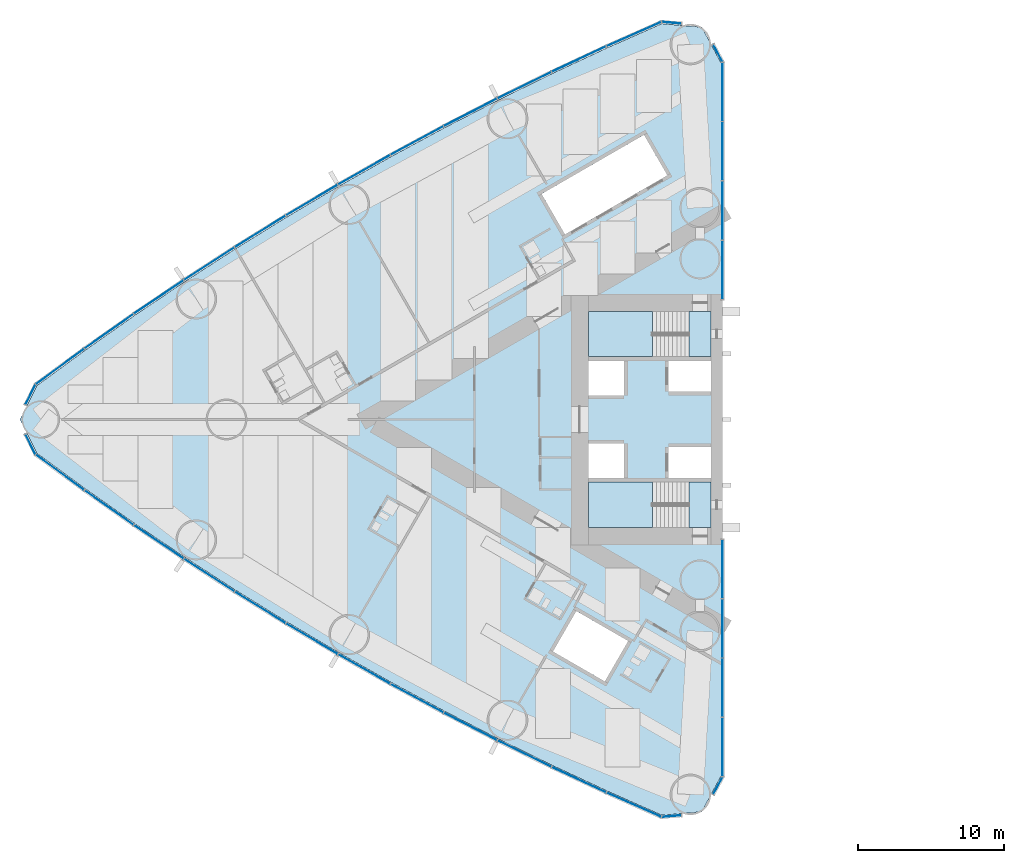
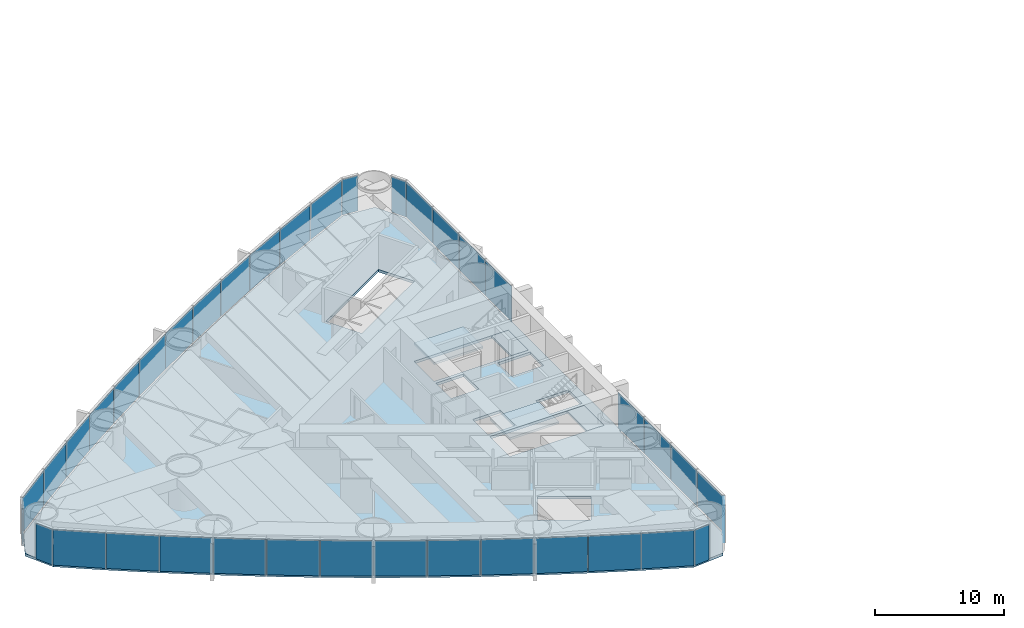
# One storey, part 9 of 19: 38 plates, 5 slabs, 6 elements without a shape of their own.
"""IFC4 building model written with IfcOpenShell, lengths in metres."""

from ifc_helpers import new_model, si_unit, direction, frame, origin, origin_2d, place, context, subcontext, project, spatial, polyline, rectangle, outline, extrude, material, layer, layer_set, type_object, element, aggregate, save


model = new_model("IFC4")

# Units and contexts
model_context = context("Model", 3, precision=1e-05, world=origin(), true_north=direction((0.0, 1.0)))
body_context = subcontext(model_context, "Body", "Model", "MODEL_VIEW")
ifc_project = project(units=[si_unit("LENGTHUNIT", "METRE"), si_unit("AREAUNIT", "SQUARE_METRE"), si_unit("VOLUMEUNIT", "CUBIC_METRE"), si_unit("PLANEANGLEUNIT", "RADIAN"), si_unit("MASSUNIT", "GRAM", prefix="KILO")], contexts=[model_context])

# Site, building, storey
site_placement = place(None, origin())
site = spatial("IfcSite", under=ifc_project, at=site_placement, CompositionType="ELEMENT")
building_placement = place(site_placement, origin())
building = spatial("IfcBuilding", under=site, at=building_placement, Name="Lancet Gate Hotel", CompositionType="ELEMENT")
storey_placement = place(building_placement, frame((0.0, 0.0, 32.0)))
storey = spatial("IfcBuildingStorey", under=building, at=storey_placement, Name="L07", CompositionType="ELEMENT", Elevation=32.0)

# Slab
ifc_material_1 = material(Name="Concrete C50/60", Category="concrete")
ifc_layer_1 = layer(ifc_material_1, 0.25)
ifc_layer_set_1 = layer_set([ifc_layer_1], Name="Floor slab 250")
slab_type_1 = type_object("IfcSlabType", Name="Floor slab 250", PredefinedType="FLOOR", material=ifc_layer_set_1)
slab_1_placement = place(storey_placement, frame((0.0, 0.0, -0.25)))
element("IfcSlab", 1, at=slab_1_placement, inside=storey, type_object=slab_type_1, Name="T1 L07 floor slab", PredefinedType="FLOOR", context=body_context, shape_type="SweptSolid", body=[
    extrude(outline(polyline([(-27.5, 8.60009765625), (-27.6201171875, 8.60009765625), (-27.6201171875, 24.4609375), (-28.926513671875, 26.8837890625), (-31.668212890625, 27.12353515625), (-35.424072265625, 25.458740234375), (-39.173583984375, 23.70849609375), (-42.887939453125, 21.884765625), (-46.56591796875, 19.98876953125), (-50.2060546875, 18.02099609375), (-53.806884765625, 15.982421875), (-57.366943359375, 13.87353515625), (-60.88525390625, 11.695068359375), (-64.360107421875, 9.448486328125), (-67.7900390625, 7.134033203125), (-71.17431640625, 4.752685546875), (-74.488525390625, 2.322021484375), (-75.65087890625, 0.0), (-74.488525390625, -2.322021484375), (-71.17431640625, -4.752685546875), (-67.7900390625, -7.134033203125), (-64.360107421875, -9.448486328125), (-60.88525390625, -11.695068359375), (-57.366943359375, -13.87353515625), (-53.806884765625, -15.982421875), (-50.2060546875, -18.02099609375), (-46.56591796875, -19.98876953125), (-42.887939453125, -21.884765625), (-39.173583984375, -23.70849609375), (-35.424072265625, -25.458740234375), (-31.668212890625, -27.12353515625), (-28.926513671875, -26.8837890625), (-27.6201171875, -24.4609375), (-27.6201171875, -8.60009765625), (-27.5, -8.60009765625), (-27.5, -8.199951171875), (-27.5, 8.199951171875), (-27.5, 8.60009765625)]), holes=[polyline([(-36.699951171875, 7.39990234375), (-36.699951171875, 4.300048828125), (-28.300048828125, 4.300048828125), (-28.300048828125, 7.39990234375), (-36.699951171875, 7.39990234375)]), polyline([(-28.300048828125, 4.0), (-31.199951171875, 4.0), (-31.199951171875, 1.89990234375), (-28.300048828125, 1.89990234375), (-28.300048828125, 4.0)]), polyline([(-34.25, 4.0), (-36.699951171875, 4.0), (-36.699951171875, 1.64990234375), (-34.25, 1.64990234375), (-34.25, 4.0)]), polyline([(-36.699951171875, -1.64990234375), (-36.699951171875, -4.0), (-34.25, -4.0), (-34.25, -1.64990234375), (-36.699951171875, -1.64990234375)]), polyline([(-28.300048828125, -1.89990234375), (-31.199951171875, -1.89990234375), (-31.199951171875, -4.0), (-28.300048828125, -4.0), (-28.300048828125, -1.89990234375)]), polyline([(-28.300048828125, -4.300048828125), (-36.699951171875, -4.300048828125), (-36.699951171875, -7.39990234375), (-28.300048828125, -7.39990234375), (-28.300048828125, -4.300048828125)]), polyline([(-31.2900390625, 16.73095703125), (-32.889892578125, 19.501953125), (-39.904052734375, 15.451904296875), (-38.303955078125, 12.680908203125), (-31.2900390625, 16.73095703125)]), polyline([(-33.97412109375, -15.180908203125), (-37.52490234375, -13.131103515625), (-39.125, -15.902099609375), (-35.573974609375, -17.951904296875), (-33.97412109375, -15.180908203125)])]), origin(), (0.0, 0.0, 1.0), 0.25),
])

# Stair, slabs
ifc_material_2 = material(Name="Exit stair 20 risers 1500")
stair_type = type_object("IfcStairType", Name="Exit stair 20 risers 1500", PredefinedType="HALF_TURN_STAIR", material=ifc_material_2)
stair_1_placement = place(storey_placement, origin())
stair_1 = element("IfcStair", 2, at=stair_1_placement, inside=storey, type_object=stair_type, Name="T1 stair 1 L07", PredefinedType="HALF_TURN_STAIR")
ifc_material_3 = material(Name="Concrete C40/50", Category="concrete")
ifc_layer_2 = layer(ifc_material_3, 0.199951171875)
ifc_layer_set_2 = layer_set([ifc_layer_2], Name="Stair landing 200")
slab_type_2 = type_object("IfcSlabType", Name="Stair landing 200", PredefinedType="LANDING", material=ifc_layer_set_2)
slab_2_placement = place(storey_placement, frame((0.0, 0.0, -0.199951171875)))
slab_2 = element("IfcSlab", 3, at=slab_2_placement, type_object=slab_type_2, Name="ST1 landing 1", PredefinedType="LANDING", context=body_context, shape_type="SweptSolid", body=[
    extrude(outline(polyline([(-28.300048828125, 7.39990234375), (-29.800048828125, 7.39990234375), (-29.800048828125, 4.300048828125), (-28.300048828125, 4.300048828125), (-28.300048828125, 7.39990234375)])), origin(), (0.0, 0.0, 1.0), 0.199951171875),
])
slab_3_placement = place(storey_placement, frame((0.0, 0.0, 1.550048828125)))
slab_3 = element("IfcSlab", 4, at=slab_3_placement, type_object=slab_type_2, Name="ST1 landing 2", PredefinedType="LANDING", context=body_context, shape_type="SweptSolid", body=[
    extrude(outline(polyline([(-32.320068359375, 7.39990234375), (-36.699951171875, 7.39990234375), (-36.699951171875, 4.300048828125), (-32.320068359375, 4.300048828125), (-32.320068359375, 7.39990234375)])), origin(), (0.0, 0.0, 1.0), 0.199951171875),
])
aggregate(stair_1, [slab_2, slab_3])

stair_2_placement = place(storey_placement, origin())
stair_2 = element("IfcStair", 5, at=stair_2_placement, inside=storey, type_object=stair_type, Name="T1 stair 2 L07", PredefinedType="HALF_TURN_STAIR")
slab_4_placement = place(storey_placement, frame((0.0, 0.0, -0.199951171875)))
slab_4 = element("IfcSlab", 6, at=slab_4_placement, type_object=slab_type_2, Name="ST2 landing 1", PredefinedType="LANDING", context=body_context, shape_type="SweptSolid", body=[
    extrude(outline(polyline([(-28.300048828125, -4.300048828125), (-29.800048828125, -4.300048828125), (-29.800048828125, -7.39990234375), (-28.300048828125, -7.39990234375), (-28.300048828125, -4.300048828125)])), origin(), (0.0, 0.0, 1.0), 0.199951171875),
])
slab_5_placement = place(storey_placement, frame((0.0, 0.0, 1.550048828125)))
slab_5 = element("IfcSlab", 7, at=slab_5_placement, type_object=slab_type_2, Name="ST2 landing 2", PredefinedType="LANDING", context=body_context, shape_type="SweptSolid", body=[
    extrude(outline(polyline([(-32.320068359375, -4.300048828125), (-36.699951171875, -4.300048828125), (-36.699951171875, -7.39990234375), (-32.320068359375, -7.39990234375), (-32.320068359375, -4.300048828125)])), origin(), (0.0, 0.0, 1.0), 0.199951171875),
])
aggregate(stair_2, [slab_4, slab_5])

# Curtain wall, plates
ifc_material_4 = material(Name="Aluminium curtain wall", Category="aluminium")
curtain_wall_type = type_object("IfcCurtainWallType", Name="Tower unitised curtain wall", PredefinedType="USERDEFINED", material=ifc_material_4)
curtain_wall_1_placement = place(storey_placement, origin())
curtain_wall_1 = element("IfcCurtainWall", 8, at=curtain_wall_1_placement, inside=storey, type_object=curtain_wall_type, Name="T1 L07 curtain wall 1", ObjectType="UNITISED CURTAIN WALL", PredefinedType="USERDEFINED")
ifc_material_5 = material(Name="Glass double glazed unit 8-16-6", Category="glass")
ifc_layer_3 = layer(ifc_material_5, 0.030029296875)
ifc_layer_set_3 = layer_set([ifc_layer_3], Name="Vision panel double glazed")
plate_type = type_object("IfcPlateType", Name="Vision panel double glazed", PredefinedType="CURTAIN_PANEL", material=ifc_layer_set_3)
plate_1_placement = place(storey_placement, frame((-27.5, 10.236328125, 0.0), z_axis=(0.0, 0.0, 1.0), x_axis=(0.0, 1.0, 0.0)))
plate_1 = element("IfcPlate", 9, at=plate_1_placement, type_object=plate_type, Name="T1 L07 curtain wall 1 panel 1", PredefinedType="CURTAIN_PANEL", context=body_context, shape_type="SweptSolid", body=[
    extrude(rectangle(XDim=4.0078125, YDim=0.030029296875, at=origin_2d()), origin(), (0.0, 0.0, 1.0), 3.35009765625),
])
plate_2_placement = place(storey_placement, frame((-27.5, 14.30908203125, 0.0), z_axis=(0.0, 0.0, 1.0), x_axis=(0.0, 1.0, 0.0)))
plate_2 = element("IfcPlate", 10, at=plate_2_placement, type_object=plate_type, Name="T1 L07 curtain wall 1 panel 2", PredefinedType="CURTAIN_PANEL", context=body_context, shape_type="SweptSolid", body=[
    extrude(rectangle(XDim=4.0078125, YDim=0.030029296875, at=origin_2d()), origin(), (0.0, 0.0, 1.0), 3.35009765625),
])
plate_3_placement = place(storey_placement, frame((-27.5, 18.382080078125, 0.0), z_axis=(0.0, 0.0, 1.0), x_axis=(0.0, 1.0, 0.0)))
plate_3 = element("IfcPlate", 11, at=plate_3_placement, type_object=plate_type, Name="T1 L07 curtain wall 1 panel 3", PredefinedType="CURTAIN_PANEL", context=body_context, shape_type="SweptSolid", body=[
    extrude(rectangle(XDim=4.0078125, YDim=0.030029296875, at=origin_2d()), origin(), (0.0, 0.0, 1.0), 3.35009765625),
])
plate_4_placement = place(storey_placement, frame((-27.5, 22.454833984375, 0.0), z_axis=(0.0, 0.0, 1.0), x_axis=(0.0, 1.0, 0.0)))
plate_4 = element("IfcPlate", 12, at=plate_4_placement, type_object=plate_type, Name="T1 L07 curtain wall 1 panel 4", PredefinedType="CURTAIN_PANEL", context=body_context, shape_type="SweptSolid", body=[
    extrude(rectangle(XDim=4.0078125, YDim=0.030029296875, at=origin_2d()), origin(), (0.0, 0.0, 1.0), 3.35009765625),
])
plate_5_placement = place(storey_placement, frame((-27.829345703125, 25.10205078125, 0.0), z_axis=(0.0, 0.0, 1.0), x_axis=(-0.474631040972, 0.880184852714, 0.0)))
plate_5 = element("IfcPlate", 13, at=plate_5_placement, type_object=plate_type, Name="T1 L07 curtain wall 1 panel 5", PredefinedType="CURTAIN_PANEL", context=body_context, shape_type="SweptSolid", body=[
    extrude(rectangle(XDim=1.322998046875, YDim=0.030029296875, at=origin_2d()), origin(), (0.0, 0.0, 1.0), 3.35009765625),
])
aggregate(curtain_wall_1, [plate_1, plate_2, plate_3, plate_4, plate_5])

curtain_wall_2_placement = place(storey_placement, origin())
curtain_wall_2 = element("IfcCurtainWall", 14, at=curtain_wall_2_placement, inside=storey, type_object=curtain_wall_type, Name="T1 L07 curtain wall 2", ObjectType="UNITISED CURTAIN WALL", PredefinedType="USERDEFINED")
plate_6_placement = place(storey_placement, frame((-30.99658203125, 27.185302734375, 0.0), z_axis=(0.0, 0.0, 1.0), x_axis=(-0.99620380374, 0.087051602022, 0.0)))
plate_6 = element("IfcPlate", 15, at=plate_6_placement, type_object=plate_type, Name="T1 L07 curtain wall 2 panel 1", PredefinedType="CURTAIN_PANEL", context=body_context, shape_type="SweptSolid", body=[
    extrude(rectangle(XDim=1.32421875, YDim=0.030029296875, at=origin_2d()), origin(), (0.0, 0.0, 1.0), 3.35009765625),
])
plate_7_placement = place(storey_placement, frame((-33.581298828125, 26.406982421875, 0.0), z_axis=(0.0, 0.0, 1.0), x_axis=(-0.914234183208, -0.405186201954, 0.0)))
plate_7 = element("IfcPlate", 16, at=plate_7_placement, type_object=plate_type, Name="T1 L07 curtain wall 2 panel 2", PredefinedType="CURTAIN_PANEL", context=body_context, shape_type="SweptSolid", body=[
    extrude(rectangle(XDim=4.0751953125, YDim=0.030029296875, at=origin_2d()), origin(), (0.0, 0.0, 1.0), 3.35009765625),
])
plate_8_placement = place(storey_placement, frame((-37.349609375, 24.6923828125, 0.0), z_axis=(0.0, 0.0, 1.0), x_axis=(-0.906117767284, -0.423025521467, 0.0)))
plate_8 = element("IfcPlate", 17, at=plate_8_placement, type_object=plate_type, Name="T1 L07 curtain wall 2 panel 3", PredefinedType="CURTAIN_PANEL", context=body_context, shape_type="SweptSolid", body=[
    extrude(rectangle(XDim=4.0751953125, YDim=0.030029296875, at=origin_2d()), origin(), (0.0, 0.0, 1.0), 3.35009765625),
])
plate_9_placement = place(storey_placement, frame((-41.083740234375, 22.904296875, 0.0), z_axis=(0.0, 0.0, 1.0), x_axis=(-0.897653295642, -0.440702349463, 0.0)))
plate_9 = element("IfcPlate", 18, at=plate_9_placement, type_object=plate_type, Name="T1 L07 curtain wall 2 panel 4", PredefinedType="CURTAIN_PANEL", context=body_context, shape_type="SweptSolid", body=[
    extrude(rectangle(XDim=4.0751953125, YDim=0.030029296875, at=origin_2d()), origin(), (0.0, 0.0, 1.0), 3.35009765625),
])
plate_10_placement = place(storey_placement, frame((-44.781982421875, 21.04345703125, 0.0), z_axis=(0.0, 0.0, 1.0), x_axis=(-0.888844019644, -0.458209895946, 0.0)))
plate_10 = element("IfcPlate", 19, at=plate_10_placement, type_object=plate_type, Name="T1 L07 curtain wall 2 panel 5", PredefinedType="CURTAIN_PANEL", context=body_context, shape_type="SweptSolid", body=[
    extrude(rectangle(XDim=4.0751953125, YDim=0.030029296875, at=origin_2d()), origin(), (0.0, 0.0, 1.0), 3.35009765625),
])
plate_11_placement = place(storey_placement, frame((-48.443115234375, 19.110595703125, 0.0), z_axis=(0.0, 0.0, 1.0), x_axis=(-0.87969332307, -0.475541435993, 0.0)))
plate_11 = element("IfcPlate", 20, at=plate_11_placement, type_object=plate_type, Name="T1 L07 curtain wall 2 panel 6", PredefinedType="CURTAIN_PANEL", context=body_context, shape_type="SweptSolid", body=[
    extrude(rectangle(XDim=4.0751953125, YDim=0.030029296875, at=origin_2d()), origin(), (0.0, 0.0, 1.0), 3.35009765625),
])
plate_12_placement = place(storey_placement, frame((-52.065673828125, 17.106201171875, 0.0), z_axis=(0.0, 0.0, 1.0), x_axis=(-0.870204720871, -0.492690312238, 0.0)))
plate_12 = element("IfcPlate", 21, at=plate_12_placement, type_object=plate_type, Name="T1 L07 curtain wall 2 panel 7", PredefinedType="CURTAIN_PANEL", context=body_context, shape_type="SweptSolid", body=[
    extrude(rectangle(XDim=4.0751953125, YDim=0.030029296875, at=origin_2d()), origin(), (0.0, 0.0, 1.0), 3.35009765625),
])
plate_13_placement = place(storey_placement, frame((-55.648193359375, 15.031005859375, 0.0), z_axis=(0.0, 0.0, 1.0), x_axis=(-0.860381857795, -0.509649937484, 0.0)))
plate_13 = element("IfcPlate", 22, at=plate_13_placement, type_object=plate_type, Name="T1 L07 curtain wall 2 panel 8", PredefinedType="CURTAIN_PANEL", context=body_context, shape_type="SweptSolid", body=[
    extrude(rectangle(XDim=4.0751953125, YDim=0.030029296875, at=origin_2d()), origin(), (0.0, 0.0, 1.0), 3.35009765625),
])
plate_14_placement = place(storey_placement, frame((-59.189208984375, 12.88623046875, 0.0), z_axis=(0.0, 0.0, 1.0), x_axis=(-0.850228506958, -0.52641379727, 0.0)))
plate_14 = element("IfcPlate", 23, at=plate_14_placement, type_object=plate_type, Name="T1 L07 curtain wall 2 panel 9", PredefinedType="CURTAIN_PANEL", context=body_context, shape_type="SweptSolid", body=[
    extrude(rectangle(XDim=4.0751953125, YDim=0.030029296875, at=origin_2d()), origin(), (0.0, 0.0, 1.0), 3.35009765625),
])
plate_15_placement = place(storey_placement, frame((-62.687744140625, 10.672607421875, 0.0), z_axis=(0.0, 0.0, 1.0), x_axis=(-0.839748568448, -0.54297545229, 0.0)))
plate_15 = element("IfcPlate", 24, at=plate_15_placement, type_object=plate_type, Name="T1 L07 curtain wall 2 panel 10", PredefinedType="CURTAIN_PANEL", context=body_context, shape_type="SweptSolid", body=[
    extrude(rectangle(XDim=4.0751953125, YDim=0.030029296875, at=origin_2d()), origin(), (0.0, 0.0, 1.0), 3.35009765625),
])
plate_16_placement = place(storey_placement, frame((-66.142333984375, 8.390625, 0.0), z_axis=(0.0, 0.0, 1.0), x_axis=(-0.828946067803, -0.559328540907, 0.0)))
plate_16 = element("IfcPlate", 25, at=plate_16_placement, type_object=plate_type, Name="T1 L07 curtain wall 2 panel 11", PredefinedType="CURTAIN_PANEL", context=body_context, shape_type="SweptSolid", body=[
    extrude(rectangle(XDim=4.0751953125, YDim=0.030029296875, at=origin_2d()), origin(), (0.0, 0.0, 1.0), 3.35009765625),
])
plate_17_placement = place(storey_placement, frame((-69.55126953125, 6.04150390625, 0.0), z_axis=(0.0, 0.0, 1.0), x_axis=(-0.817825154435, -0.575466781642, 0.0)))
plate_17 = element("IfcPlate", 26, at=plate_17_placement, type_object=plate_type, Name="T1 L07 curtain wall 2 panel 12", PredefinedType="CURTAIN_PANEL", context=body_context, shape_type="SweptSolid", body=[
    extrude(rectangle(XDim=4.0751953125, YDim=0.030029296875, at=origin_2d()), origin(), (0.0, 0.0, 1.0), 3.35009765625),
])
plate_18_placement = place(storey_placement, frame((-72.91357421875, 3.6259765625, 0.0), z_axis=(0.0, 0.0, 1.0), x_axis=(-0.80639010009, -0.591383975499, 0.0)))
plate_18 = element("IfcPlate", 27, at=plate_18_placement, type_object=plate_type, Name="T1 L07 curtain wall 2 panel 13", PredefinedType="CURTAIN_PANEL", context=body_context, shape_type="SweptSolid", body=[
    extrude(rectangle(XDim=4.0751953125, YDim=0.030029296875, at=origin_2d()), origin(), (0.0, 0.0, 1.0), 3.35009765625),
])
plate_19_placement = place(storey_placement, frame((-74.93505859375, 1.6982421875, 0.0), z_axis=(0.0, 0.0, 1.0), x_axis=(-0.447628324726, -0.89421970617, 0.0)))
plate_19 = element("IfcPlate", 28, at=plate_19_placement, type_object=plate_type, Name="T1 L07 curtain wall 2 panel 14", PredefinedType="CURTAIN_PANEL", context=body_context, shape_type="SweptSolid", body=[
    extrude(rectangle(XDim=1.50830078125, YDim=0.030029296875, at=origin_2d()), origin(), (0.0, 0.0, 1.0), 3.35009765625),
])
aggregate(curtain_wall_2, [plate_6, plate_7, plate_8, plate_9, plate_10, plate_11, plate_12, plate_13, plate_14, plate_15, plate_16, plate_17, plate_18, plate_19])

curtain_wall_3_placement = place(storey_placement, origin())
curtain_wall_3 = element("IfcCurtainWall", 29, at=curtain_wall_3_placement, inside=storey, type_object=curtain_wall_type, Name="T1 L07 curtain wall 3", ObjectType="UNITISED CURTAIN WALL", PredefinedType="USERDEFINED")
plate_20_placement = place(storey_placement, frame((-74.93505859375, -1.6982421875, 0.0), z_axis=(0.0, 0.0, 1.0), x_axis=(0.447628324726, -0.89421970617, 0.0)))
plate_20 = element("IfcPlate", 30, at=plate_20_placement, type_object=plate_type, Name="T1 L07 curtain wall 3 panel 1", PredefinedType="CURTAIN_PANEL", context=body_context, shape_type="SweptSolid", body=[
    extrude(rectangle(XDim=1.50830078125, YDim=0.030029296875, at=origin_2d()), origin(), (0.0, 0.0, 1.0), 3.35009765625),
])
plate_21_placement = place(storey_placement, frame((-72.91357421875, -3.6259765625, 0.0), z_axis=(0.0, 0.0, 1.0), x_axis=(0.80639010009, -0.591383975499, 0.0)))
plate_21 = element("IfcPlate", 31, at=plate_21_placement, type_object=plate_type, Name="T1 L07 curtain wall 3 panel 2", PredefinedType="CURTAIN_PANEL", context=body_context, shape_type="SweptSolid", body=[
    extrude(rectangle(XDim=4.0751953125, YDim=0.030029296875, at=origin_2d()), origin(), (0.0, 0.0, 1.0), 3.35009765625),
])
plate_22_placement = place(storey_placement, frame((-69.55126953125, -6.04150390625, 0.0), z_axis=(0.0, 0.0, 1.0), x_axis=(0.817825154435, -0.575466781642, 0.0)))
plate_22 = element("IfcPlate", 32, at=plate_22_placement, type_object=plate_type, Name="T1 L07 curtain wall 3 panel 3", PredefinedType="CURTAIN_PANEL", context=body_context, shape_type="SweptSolid", body=[
    extrude(rectangle(XDim=4.0751953125, YDim=0.030029296875, at=origin_2d()), origin(), (0.0, 0.0, 1.0), 3.35009765625),
])
plate_23_placement = place(storey_placement, frame((-66.142333984375, -8.390625, 0.0), z_axis=(0.0, 0.0, 1.0), x_axis=(0.828946067803, -0.559328540907, 0.0)))
plate_23 = element("IfcPlate", 33, at=plate_23_placement, type_object=plate_type, Name="T1 L07 curtain wall 3 panel 4", PredefinedType="CURTAIN_PANEL", context=body_context, shape_type="SweptSolid", body=[
    extrude(rectangle(XDim=4.0751953125, YDim=0.030029296875, at=origin_2d()), origin(), (0.0, 0.0, 1.0), 3.35009765625),
])
plate_24_placement = place(storey_placement, frame((-62.687744140625, -10.672607421875, 0.0), z_axis=(0.0, 0.0, 1.0), x_axis=(0.839748568448, -0.54297545229, 0.0)))
plate_24 = element("IfcPlate", 34, at=plate_24_placement, type_object=plate_type, Name="T1 L07 curtain wall 3 panel 5", PredefinedType="CURTAIN_PANEL", context=body_context, shape_type="SweptSolid", body=[
    extrude(rectangle(XDim=4.0751953125, YDim=0.030029296875, at=origin_2d()), origin(), (0.0, 0.0, 1.0), 3.35009765625),
])
plate_25_placement = place(storey_placement, frame((-59.189208984375, -12.88623046875, 0.0), z_axis=(0.0, 0.0, 1.0), x_axis=(0.850228506958, -0.52641379727, 0.0)))
plate_25 = element("IfcPlate", 35, at=plate_25_placement, type_object=plate_type, Name="T1 L07 curtain wall 3 panel 6", PredefinedType="CURTAIN_PANEL", context=body_context, shape_type="SweptSolid", body=[
    extrude(rectangle(XDim=4.0751953125, YDim=0.030029296875, at=origin_2d()), origin(), (0.0, 0.0, 1.0), 3.35009765625),
])
plate_26_placement = place(storey_placement, frame((-55.648193359375, -15.031005859375, 0.0), z_axis=(0.0, 0.0, 1.0), x_axis=(0.860381857795, -0.509649937484, 0.0)))
plate_26 = element("IfcPlate", 36, at=plate_26_placement, type_object=plate_type, Name="T1 L07 curtain wall 3 panel 7", PredefinedType="CURTAIN_PANEL", context=body_context, shape_type="SweptSolid", body=[
    extrude(rectangle(XDim=4.0751953125, YDim=0.030029296875, at=origin_2d()), origin(), (0.0, 0.0, 1.0), 3.35009765625),
])
plate_27_placement = place(storey_placement, frame((-52.065673828125, -17.106201171875, 0.0), z_axis=(0.0, 0.0, 1.0), x_axis=(0.870204720871, -0.492690312238, 0.0)))
plate_27 = element("IfcPlate", 37, at=plate_27_placement, type_object=plate_type, Name="T1 L07 curtain wall 3 panel 8", PredefinedType="CURTAIN_PANEL", context=body_context, shape_type="SweptSolid", body=[
    extrude(rectangle(XDim=4.0751953125, YDim=0.030029296875, at=origin_2d()), origin(), (0.0, 0.0, 1.0), 3.35009765625),
])
plate_28_placement = place(storey_placement, frame((-48.443115234375, -19.110595703125, 0.0), z_axis=(0.0, 0.0, 1.0), x_axis=(0.87969332307, -0.475541435993, 0.0)))
plate_28 = element("IfcPlate", 38, at=plate_28_placement, type_object=plate_type, Name="T1 L07 curtain wall 3 panel 9", PredefinedType="CURTAIN_PANEL", context=body_context, shape_type="SweptSolid", body=[
    extrude(rectangle(XDim=4.0751953125, YDim=0.030029296875, at=origin_2d()), origin(), (0.0, 0.0, 1.0), 3.35009765625),
])
plate_29_placement = place(storey_placement, frame((-44.781982421875, -21.04345703125, 0.0), z_axis=(0.0, 0.0, 1.0), x_axis=(0.888844019644, -0.458209895946, 0.0)))
plate_29 = element("IfcPlate", 39, at=plate_29_placement, type_object=plate_type, Name="T1 L07 curtain wall 3 panel 10", PredefinedType="CURTAIN_PANEL", context=body_context, shape_type="SweptSolid", body=[
    extrude(rectangle(XDim=4.0751953125, YDim=0.030029296875, at=origin_2d()), origin(), (0.0, 0.0, 1.0), 3.35009765625),
])
plate_30_placement = place(storey_placement, frame((-41.083740234375, -22.904296875, 0.0), z_axis=(0.0, 0.0, 1.0), x_axis=(0.897653295642, -0.440702349463, 0.0)))
plate_30 = element("IfcPlate", 40, at=plate_30_placement, type_object=plate_type, Name="T1 L07 curtain wall 3 panel 11", PredefinedType="CURTAIN_PANEL", context=body_context, shape_type="SweptSolid", body=[
    extrude(rectangle(XDim=4.0751953125, YDim=0.030029296875, at=origin_2d()), origin(), (0.0, 0.0, 1.0), 3.35009765625),
])
plate_31_placement = place(storey_placement, frame((-37.349609375, -24.6923828125, 0.0), z_axis=(0.0, 0.0, 1.0), x_axis=(0.906117767284, -0.423025521467, 0.0)))
plate_31 = element("IfcPlate", 41, at=plate_31_placement, type_object=plate_type, Name="T1 L07 curtain wall 3 panel 12", PredefinedType="CURTAIN_PANEL", context=body_context, shape_type="SweptSolid", body=[
    extrude(rectangle(XDim=4.0751953125, YDim=0.030029296875, at=origin_2d()), origin(), (0.0, 0.0, 1.0), 3.35009765625),
])
plate_32_placement = place(storey_placement, frame((-33.581298828125, -26.406982421875, 0.0), z_axis=(0.0, 0.0, 1.0), x_axis=(0.914234183208, -0.405186201954, 0.0)))
plate_32 = element("IfcPlate", 42, at=plate_32_placement, type_object=plate_type, Name="T1 L07 curtain wall 3 panel 13", PredefinedType="CURTAIN_PANEL", context=body_context, shape_type="SweptSolid", body=[
    extrude(rectangle(XDim=4.0751953125, YDim=0.030029296875, at=origin_2d()), origin(), (0.0, 0.0, 1.0), 3.35009765625),
])
plate_33_placement = place(storey_placement, frame((-30.99658203125, -27.185302734375, 0.0), z_axis=(0.0, 0.0, 1.0), x_axis=(0.99620380374, 0.087051602022, 0.0)))
plate_33 = element("IfcPlate", 43, at=plate_33_placement, type_object=plate_type, Name="T1 L07 curtain wall 3 panel 14", PredefinedType="CURTAIN_PANEL", context=body_context, shape_type="SweptSolid", body=[
    extrude(rectangle(XDim=1.32421875, YDim=0.030029296875, at=origin_2d()), origin(), (0.0, 0.0, 1.0), 3.35009765625),
])
aggregate(curtain_wall_3, [plate_20, plate_21, plate_22, plate_23, plate_24, plate_25, plate_26, plate_27, plate_28, plate_29, plate_30, plate_31, plate_32, plate_33])

curtain_wall_4_placement = place(storey_placement, origin())
curtain_wall_4 = element("IfcCurtainWall", 44, at=curtain_wall_4_placement, inside=storey, type_object=curtain_wall_type, Name="T1 L07 curtain wall 4", ObjectType="UNITISED CURTAIN WALL", PredefinedType="USERDEFINED")
plate_34_placement = place(storey_placement, frame((-27.829345703125, -25.10205078125, 0.0), z_axis=(0.0, 0.0, 1.0), x_axis=(0.474631040972, 0.880184852714, 0.0)))
plate_34 = element("IfcPlate", 45, at=plate_34_placement, type_object=plate_type, Name="T1 L07 curtain wall 4 panel 1", PredefinedType="CURTAIN_PANEL", context=body_context, shape_type="SweptSolid", body=[
    extrude(rectangle(XDim=1.322998046875, YDim=0.030029296875, at=origin_2d()), origin(), (0.0, 0.0, 1.0), 3.35009765625),
])
plate_35_placement = place(storey_placement, frame((-27.5, -22.454833984375, 0.0), z_axis=(0.0, 0.0, 1.0), x_axis=(0.0, 1.0, 0.0)))
plate_35 = element("IfcPlate", 46, at=plate_35_placement, type_object=plate_type, Name="T1 L07 curtain wall 4 panel 2", PredefinedType="CURTAIN_PANEL", context=body_context, shape_type="SweptSolid", body=[
    extrude(rectangle(XDim=4.0078125, YDim=0.030029296875, at=origin_2d()), origin(), (0.0, 0.0, 1.0), 3.35009765625),
])
plate_36_placement = place(storey_placement, frame((-27.5, -18.382080078125, 0.0), z_axis=(0.0, 0.0, 1.0), x_axis=(0.0, 1.0, 0.0)))
plate_36 = element("IfcPlate", 47, at=plate_36_placement, type_object=plate_type, Name="T1 L07 curtain wall 4 panel 3", PredefinedType="CURTAIN_PANEL", context=body_context, shape_type="SweptSolid", body=[
    extrude(rectangle(XDim=4.0078125, YDim=0.030029296875, at=origin_2d()), origin(), (0.0, 0.0, 1.0), 3.35009765625),
])
plate_37_placement = place(storey_placement, frame((-27.5, -14.30908203125, 0.0), z_axis=(0.0, 0.0, 1.0), x_axis=(0.0, 1.0, 0.0)))
plate_37 = element("IfcPlate", 48, at=plate_37_placement, type_object=plate_type, Name="T1 L07 curtain wall 4 panel 4", PredefinedType="CURTAIN_PANEL", context=body_context, shape_type="SweptSolid", body=[
    extrude(rectangle(XDim=4.0078125, YDim=0.030029296875, at=origin_2d()), origin(), (0.0, 0.0, 1.0), 3.35009765625),
])
plate_38_placement = place(storey_placement, frame((-27.5, -10.236328125, 0.0), z_axis=(0.0, 0.0, 1.0), x_axis=(0.0, 1.0, 0.0)))
plate_38 = element("IfcPlate", 49, at=plate_38_placement, type_object=plate_type, Name="T1 L07 curtain wall 4 panel 5", PredefinedType="CURTAIN_PANEL", context=body_context, shape_type="SweptSolid", body=[
    extrude(rectangle(XDim=4.0078125, YDim=0.030029296875, at=origin_2d()), origin(), (0.0, 0.0, 1.0), 3.35009765625),
])
aggregate(curtain_wall_4, [plate_34, plate_35, plate_36, plate_37, plate_38])

save(model, "model.ifc")
